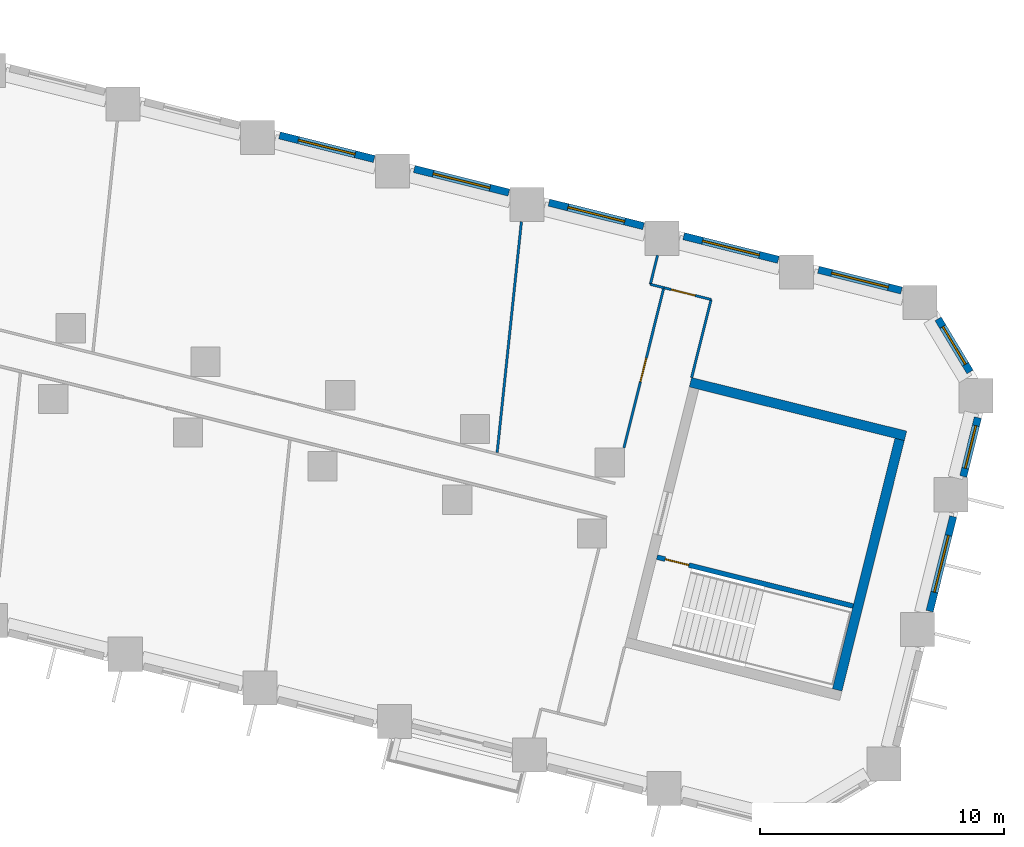
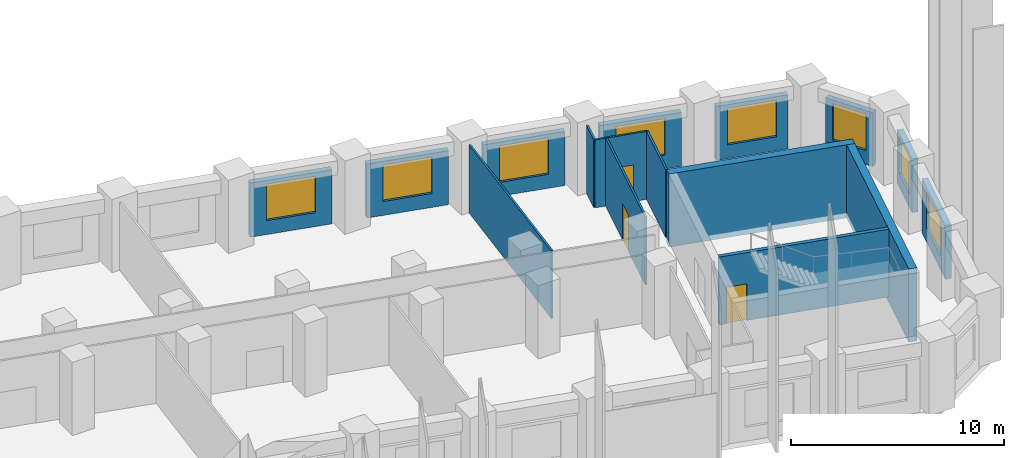
# One storey, part 7 of 11: 17 walls, 8 windows, 3 doors, 11 openings.
"""IFC4 building model written with IfcOpenShell, lengths in metres."""

import ifcopenshell
import ifcopenshell.guid

model = None  # the IFC model being written
_history = None  # IfcOwnerHistory: only IFC2X3 demands one
_inside = {}  # id of a spatial element -> (the spatial element, [elements in it])
_under = {}  # id of a project, library or spatial element -> (it, [spatial elements below it])
_declared = {}  # id of a project -> (the project, [libraries it declares])
_typed = {}  # id of a type object -> (the type object, [elements of that type])
_made_of = {}  # id of a material, layer set ... -> (it, [elements and type objects made of it])


def new_model(schema):
    """Start an empty IFC model of exactly this schema.

    Asked for "IFC4X3", IfcOpenShell would pick the latest addendum, in which some entities
    have other attributes; the version numbers below select the first issue.
    IFC2X3 requires an IfcOwnerHistory on every rooted entity: one is made here for all.
    """
    global model, _history
    if schema == "IFC4X3":
        model = ifcopenshell.file(schema_version=(4, 3, 0, 0))
    else:
        model = ifcopenshell.file(schema=schema)
    _inside.clear()
    _under.clear()
    _declared.clear()
    _typed.clear()
    _made_of.clear()
    _history = None
    if model.schema == "IFC2X3":
        org = make("IfcOrganization", Name="unknown")
        user = make(
            "IfcPersonAndOrganization",
            ThePerson=make("IfcPerson", FamilyName="unknown"),
            TheOrganization=org,
        )
        app = make(
            "IfcApplication",
            ApplicationDeveloper=org,
            Version="unknown",
            ApplicationFullName="unknown",
            ApplicationIdentifier="unknown",
        )
        _history = make(
            "IfcOwnerHistory",
            OwningUser=user,
            OwningApplication=app,
            ChangeAction="ADDED",
            CreationDate=0,
        )
    return model


def make(cls, **values):
    """One entity of the class cls with the attributes given. An attribute that is None is left unset."""
    return model.create_entity(
        cls, **{name: value for name, value in values.items() if value is not None}
    )


def rooted(cls, **values):
    """An entity with a GlobalId (a new one), such as an element, a storey or a relation."""
    return make(cls, GlobalId=ifcopenshell.guid.new(), OwnerHistory=_history, **values)


def si_unit(unit_type, name, prefix=None):
    """IfcSIUnit, for example si_unit("LENGTHUNIT", "METRE", prefix="MILLI")."""
    return make("IfcSIUnit", UnitType=unit_type, Prefix=prefix, Name=name)


def assignment(units):
    """IfcUnitAssignment: the units of a project."""
    return None if units is None else make("IfcUnitAssignment", Units=units)


def point(xyz):
    """IfcCartesianPoint."""
    return None if xyz is None else make("IfcCartesianPoint", Coordinates=xyz)


def direction(xyz):
    """IfcDirection."""
    return None if xyz is None else make("IfcDirection", DirectionRatios=xyz)


def frame(location, z_axis=None, x_axis=None):
    """IfcAxis2Placement3D, a coordinate frame: its origin and axes. An axis left out is left unset."""
    return make(
        "IfcAxis2Placement3D",
        Location=point(location),
        Axis=direction(z_axis),
        RefDirection=direction(x_axis),
    )


def frame_2d(location, x_axis=None):
    """IfcAxis2Placement2D, a coordinate frame in the plane: its origin and x axis."""
    return make(
        "IfcAxis2Placement2D", Location=point(location), RefDirection=direction(x_axis)
    )


def origin():
    """The frame at (0, 0, 0) with its axes left unset."""
    return frame((0.0, 0.0, 0.0))


def place(relative_to, where):
    """IfcLocalPlacement: puts the frame where relative to a parent placement (None: the world)."""
    return make(
        "IfcLocalPlacement", PlacementRelTo=relative_to, RelativePlacement=where
    )


def context(
    kind, dimensions, precision=None, world=None, true_north=None, identifier=None
):
    """IfcGeometricRepresentationContext, for example the 3D "Model" context."""
    return make(
        "IfcGeometricRepresentationContext",
        ContextIdentifier=identifier,
        ContextType=kind,
        CoordinateSpaceDimension=dimensions,
        Precision=precision,
        WorldCoordinateSystem=world,
        TrueNorth=true_north,
    )


def subcontext(parent, identifier, kind, view, scale=None):
    """IfcGeometricRepresentationSubContext, for example "Body" below "Model"."""
    return make(
        "IfcGeometricRepresentationSubContext",
        ContextIdentifier=identifier,
        ContextType=kind,
        ParentContext=parent,
        TargetScale=scale,
        TargetView=view,
    )


def project(units=None, contexts=None):
    """IfcProject with its units and contexts."""
    return rooted(
        "IfcProject",
        Name="project",
        RepresentationContexts=contexts,
        UnitsInContext=assignment(units),
    )


def spatial(cls, under=None, at=None, **own):
    """A site, building, storey or space (cls), placed at a placement, below another one or the project."""
    s = rooted(cls, ObjectPlacement=at, **own)
    if under is not None:
        _under.setdefault(under.id(), (under, []))[1].append(s)
    return s


def profile(cls, at=None, kind="AREA", **sizes):
    """A parametric profile (cls). Its sizes go by their IFC names, for example OverallWidth=200.0."""
    return make(cls, ProfileType=kind, Position=at, **sizes)


def rectangle(**sizes):
    """IfcRectangleProfileDef."""
    return profile("IfcRectangleProfileDef", **sizes)


def extrude(swept, where, along, depth):
    """IfcExtrudedAreaSolid: the profile swept, set in the frame where, extruded along a direction by depth."""
    return make(
        "IfcExtrudedAreaSolid",
        SweptArea=swept,
        Position=where,
        ExtrudedDirection=direction(along),
        Depth=depth,
    )


def shape(context_of_items, identifier, shape_type, items):
    """IfcShapeRepresentation: the items that make up one representation, for example the "Body"."""
    return make(
        "IfcShapeRepresentation",
        ContextOfItems=context_of_items,
        RepresentationIdentifier=identifier,
        RepresentationType=shape_type,
        Items=items,
    )


def material(Name=None, Category=None):
    """IfcMaterial."""
    return make("IfcMaterial", Name=Name, Category=Category)


def layer(
    of_material, thickness, ventilated=None, Name=None, Category=None, Priority=None
):
    """IfcMaterialLayer: one layer of a wall or slab, of a material (None: an air gap)."""
    return make(
        "IfcMaterialLayer",
        Material=of_material,
        LayerThickness=thickness,
        IsVentilated=ventilated,
        Name=Name,
        Category=Category,
        Priority=Priority,
    )


def layer_set(layers, Name=None):
    """IfcMaterialLayerSet."""
    return make("IfcMaterialLayerSet", MaterialLayers=layers, LayerSetName=Name)


def made_of(thing, what):
    """Note that an element or type object is made of a material, layer set ...; save() writes the relation."""
    if what is not None:
        _made_of.setdefault(what.id(), (what, []))[1].append(thing)
    return thing


def type_object(cls, material=None, **own):
    """A type object (cls), such as IfcWallType, which elements share."""
    return made_of(rooted(cls, **own), material)


def element(
    cls,
    number,
    at=None,
    inside=None,
    cuts=None,
    type_object=None,
    material=None,
    context=None,
    identifier="Body",
    shape_type=None,
    held_by="IfcProductDefinitionShape",
    body=None,
    shapes=None,
    **own,
):
    """One element of the class cls, such as IfcWall. Its Tag is "e" and its number.

    at: its placement. inside: the storey or other place that contains it. cuts: it is an
    opening in that element (IfcRelVoidsElement). A single representation is given by context,
    identifier, shape_type and body (its items); several are given by shapes. held_by: the class
    of the entity that holds the representations. save() writes the other relations.
    """
    e = rooted(cls, Tag="e%d" % number, ObjectPlacement=at, **own)
    if body is not None:
        shapes = [shape(context, identifier, shape_type, body)]
    if shapes is not None:
        e.Representation = make(held_by, Representations=shapes)
    if inside is not None:
        _inside.setdefault(inside.id(), (inside, []))[1].append(e)
    if cuts is not None:
        rooted(
            "IfcRelVoidsElement", RelatingBuildingElement=cuts, RelatedOpeningElement=e
        )
    if type_object is not None:
        _typed.setdefault(type_object.id(), (type_object, []))[1].append(e)
    return made_of(e, material)


def fill(opening, filler):
    """IfcRelFillsElement: the door or window that sits in an opening."""
    return rooted(
        "IfcRelFillsElement",
        RelatingOpeningElement=opening,
        RelatedBuildingElement=filler,
    )


def aggregate(whole, parts):
    """IfcRelAggregates: a whole, such as a stair, and the parts it consists of."""
    return rooted("IfcRelAggregates", RelatingObject=whole, RelatedObjects=parts)


def save(model, path):
    """Write the relations noted so far, then the file.

    IfcRelAggregates (storeys below a building ...), IfcRelContainedInSpatialStructure (elements
    in a storey), IfcRelDefinesByType, IfcRelAssociatesMaterial and IfcRelDeclares: one each for
    every whole, place, type object, material and project.
    """
    for whole, parts in _under.values():
        aggregate(whole, parts)
    for where, things in _inside.values():
        rooted(
            "IfcRelContainedInSpatialStructure",
            RelatedElements=things,
            RelatingStructure=where,
        )
    for kind, things in _typed.values():
        rooted("IfcRelDefinesByType", RelatedObjects=things, RelatingType=kind)
    for what, things in _made_of.values():
        rooted("IfcRelAssociatesMaterial", RelatedObjects=things, RelatingMaterial=what)
    for by, libraries in _declared.values():
        rooted("IfcRelDeclares", RelatingContext=by, RelatedDefinitions=libraries)
    model.write(path)


model = new_model("IFC4")

# Units and contexts
model_context = context("Model", 3, precision=1e-05, world=origin(), true_north=direction((0.0, 1.0)))
body_context = subcontext(model_context, "Body", "Model", "MODEL_VIEW")
ifc_project = project(units=[si_unit("LENGTHUNIT", "METRE"), si_unit("AREAUNIT", "SQUARE_METRE"), si_unit("VOLUMEUNIT", "CUBIC_METRE"), si_unit("PLANEANGLEUNIT", "RADIAN"), si_unit("MASSUNIT", "GRAM", prefix="KILO")], contexts=[model_context])

# Site, building, storey
site_placement = place(None, origin())
site = spatial("IfcSite", under=ifc_project, at=site_placement, CompositionType="ELEMENT")
building_placement = place(site_placement, origin())
building = spatial("IfcBuilding", under=site, at=building_placement, Name="Meshkara Civic Tower", CompositionType="ELEMENT")
storey_placement = place(building_placement, frame((0.0, 0.0, 49.800048828125)))
storey = spatial("IfcBuildingStorey", under=building, at=storey_placement, Name="L10", CompositionType="ELEMENT", Elevation=49.800048828125)

# Wall, opening, door
ifc_material_1 = material(Name="Corridor wall 100")
ifc_layer_1 = layer(ifc_material_1, 0.10009765625)
ifc_layer_set_1 = layer_set([ifc_layer_1], Name="Corridor wall 100")
wall_type_1 = type_object("IfcWallType", Name="Corridor wall 100", PredefinedType="PARTITIONING", material=ifc_layer_set_1)
wall_1_placement = place(storey_placement, frame((77.677978515625, 1.656982421875, 0.0), z_axis=(0.0, 0.0, 1.0), x_axis=(-0.241865842949, -0.970309700052, 0.0)))
wall_1 = element("IfcWall", 1, at=wall_1_placement, inside=storey, type_object=wall_type_1, Name="L10-W028", PredefinedType="PARTITIONING", context=body_context, shape_type="SweptSolid", body=[
    extrude(rectangle(XDim=6.776123046875, YDim=0.10009765625, at=frame_2d((3.38818359375, 0.0))), origin(), (0.0, 0.0, 1.0), 3.89990234375),
])
opening_1_placement = place(wall_1_placement, frame((2.97998046875, 0.0, 0.0)))
opening_1 = element("IfcOpeningElement", 2, at=opening_1_placement, cuts=wall_1, Name="Opening L10-D007", PredefinedType="OPENING", context=body_context, shape_type="SweptSolid", body=[
    extrude(rectangle(XDim=1.0, YDim=2.10009765625, at=frame_2d((0.5, 1.050048828125))), frame((0.0, 0.06005859375, 0.0), z_axis=(0.0, -1.0, 0.0), x_axis=(1.0, 0.0, 0.0)), (0.0, 0.0, 1.0), 0.1201171875),
])
ifc_material_2 = material(Name="Door 1000 x 2100")
door_type_1 = type_object("IfcDoorType", Name="Door 1000 x 2100", OperationType="SINGLE_SWING_LEFT", PredefinedType="DOOR", material=ifc_material_2)
door_1_placement = place(opening_1_placement, origin())
door_1 = element("IfcDoor", 3, at=door_1_placement, inside=storey, type_object=door_type_1, Name="L10-D007", OperationType="SINGLE_SWING_LEFT", OverallHeight=2.10009765625, OverallWidth=1.0, PredefinedType="DOOR", context=body_context, shape_type="SweptSolid", body=[
    extrude(rectangle(XDim=1.0, YDim=2.10009765625, at=frame_2d((0.5, 1.050048828125))), frame((0.0, 0.02490234375, 0.0), z_axis=(0.0, -1.0, 0.0), x_axis=(1.0, 0.0, 0.0)), (0.0, 0.0, 1.0), 0.050048828125),
])
fill(opening_1, door_1)

# Wall
wall_2_placement = place(storey_placement, frame((78.821044921875, -2.029052734375, 0.0), z_axis=(0.0, 0.0, 1.0), x_axis=(0.241769629392, 0.970333677816, 0.0)))
element("IfcWall", 4, at=wall_2_placement, inside=storey, type_object=wall_type_1, Name="L10-W029", PredefinedType="PARTITIONING", context=body_context, shape_type="SweptSolid", body=[
    extrude(rectangle(XDim=3.300048828125, YDim=0.10009765625, at=frame_2d((1.64990234375, 0.0))), origin(), (0.0, 0.0, 1.0), 3.89990234375),
])

# Wall, opening, door
wall_3_placement = place(storey_placement, frame((79.618896484375, 1.173095703125, 0.0), z_axis=(0.0, 0.0, 1.0), x_axis=(-0.970300241929, 0.241903783585, 0.0)))
wall_3 = element("IfcWall", 5, at=wall_3_placement, inside=storey, type_object=wall_type_1, Name="L10-W030", PredefinedType="PARTITIONING", context=body_context, shape_type="SweptSolid", body=[
    extrude(rectangle(XDim=2.000244140625, YDim=0.10009765625, at=frame_2d((1.0, 0.0))), origin(), (0.0, 0.0, 1.0), 3.89990234375),
])
opening_2_placement = place(wall_3_placement, frame((0.679931640625, 0.0, 0.0)))
opening_2 = element("IfcOpeningElement", 6, at=opening_2_placement, cuts=wall_3, Name="Opening L10-D011", PredefinedType="OPENING", context=body_context, shape_type="SweptSolid", body=[
    extrude(rectangle(XDim=1.0, YDim=2.10009765625, at=frame_2d((0.5, 1.050048828125))), frame((0.0, 0.06005859375, 0.0), z_axis=(0.0, -1.0, 0.0), x_axis=(1.0, 0.0, 0.0)), (0.0, 0.0, 1.0), 0.1201171875),
])
door_2_placement = place(opening_2_placement, origin())
door_2 = element("IfcDoor", 7, at=door_2_placement, inside=storey, type_object=door_type_1, Name="L10-D011", OperationType="SINGLE_SWING_LEFT", OverallHeight=2.10009765625, OverallWidth=1.0, PredefinedType="DOOR", context=body_context, shape_type="SweptSolid", body=[
    extrude(rectangle(XDim=1.0, YDim=2.10009765625, at=frame_2d((0.5, 1.050048828125))), frame((0.0, 0.02490234375, 0.0), z_axis=(0.0, -1.0, 0.0), x_axis=(1.0, 0.0, 0.0)), (0.0, 0.0, 1.0), 0.050048828125),
])
fill(opening_2, door_2)

# Wall, opening, window
ifc_material_3 = material(Name="Insulated infill panel with bronze anodised aluminium cladding", Category="aluminium")
ifc_layer_2 = layer(ifc_material_3, 0.300048828125)
ifc_layer_set_2 = layer_set([ifc_layer_2], Name="EXTERNAL INFILL WALL 300")
wall_type_2 = type_object("IfcWallType", Name="EXTERNAL INFILL WALL 300", PredefinedType="SOLIDWALL", material=ifc_layer_set_2)
wall_4_placement = place(storey_placement, frame((87.43505859375, 1.54296875, 0.0), z_axis=(0.0, 0.0, 1.0), x_axis=(-0.970289298425, 0.241947674843, 0.0)))
wall_4 = element("IfcWall", 8, at=wall_4_placement, inside=storey, type_object=wall_type_2, Name="External wall", PredefinedType="SOLIDWALL", context=body_context, shape_type="SweptSolid", body=[
    extrude(rectangle(XDim=3.517578125, YDim=0.300048828125, at=frame_2d((1.7587890625, 0.0))), origin(), (0.0, 0.0, 1.0), 3.099853515625),
])
opening_3_placement = place(wall_4_placement, frame((0.55908203125, 0.0, 0.800048828125)))
opening_3 = element("IfcOpeningElement", 9, at=opening_3_placement, cuts=wall_4, Name="Opening W7", PredefinedType="OPENING", context=body_context, shape_type="SweptSolid", body=[
    extrude(rectangle(XDim=2.39990234375, YDim=2.10009765625, at=frame_2d((1.199951171875, 1.050048828125))), frame((0.0, 0.159912109375, 0.0), z_axis=(0.0, -1.0, 0.0), x_axis=(1.0, 0.0, 0.0)), (0.0, 0.0, 1.0), 0.320068359375),
])
ifc_material_4 = material(Name="Tinted double glazing", Category="glass")
window_type_1 = type_object("IfcWindowType", Name="WINDOW 2400x2100", PartitioningType="DOUBLE_PANEL_VERTICAL", PredefinedType="WINDOW", material=ifc_material_4)
window_1_placement = place(opening_3_placement, origin())
window_1 = element("IfcWindow", 10, at=window_1_placement, inside=storey, type_object=window_type_1, Name="Window", OverallHeight=2.10009765625, OverallWidth=2.39990234375, PartitioningType="DOUBLE_PANEL_VERTICAL", PredefinedType="WINDOW", context=body_context, shape_type="SweptSolid", body=[
    extrude(rectangle(XDim=2.39990234375, YDim=2.10009765625, at=frame_2d((1.199951171875, 1.050048828125))), frame((0.0, 0.030029296875, 0.0), z_axis=(0.0, -1.0, 0.0), x_axis=(1.0, 0.0, 0.0)), (0.0, 0.0, 1.0), 0.06005859375),
])
fill(opening_3, window_1)

wall_5_placement = place(storey_placement, frame((82.375, 2.804931640625, 0.0), z_axis=(0.0, 0.0, 1.0), x_axis=(-0.970318045095, 0.24183236211, 0.0)))
wall_5 = element("IfcWall", 11, at=wall_5_placement, inside=storey, type_object=wall_type_2, Name="External wall", PredefinedType="SOLIDWALL", context=body_context, shape_type="SweptSolid", body=[
    extrude(rectangle(XDim=4.0029296875, YDim=0.300048828125, at=frame_2d((2.00146484375, 0.0))), origin(), (0.0, 0.0, 1.0), 3.099853515625),
])
opening_4_placement = place(wall_5_placement, frame((0.802001953125, 0.0, 0.800048828125)))
opening_4 = element("IfcOpeningElement", 12, at=opening_4_placement, cuts=wall_5, Name="Opening W7", PredefinedType="OPENING", context=body_context, shape_type="SweptSolid", body=[
    extrude(rectangle(XDim=2.39990234375, YDim=2.10009765625, at=frame_2d((1.199951171875, 1.050048828125))), frame((0.0, 0.159912109375, 0.0), z_axis=(0.0, -1.0, 0.0), x_axis=(1.0, 0.0, 0.0)), (0.0, 0.0, 1.0), 0.320068359375),
])
window_2_placement = place(opening_4_placement, origin())
window_2 = element("IfcWindow", 13, at=window_2_placement, inside=storey, type_object=window_type_1, Name="Window", OverallHeight=2.10009765625, OverallWidth=2.39990234375, PartitioningType="DOUBLE_PANEL_VERTICAL", PredefinedType="WINDOW", context=body_context, shape_type="SweptSolid", body=[
    extrude(rectangle(XDim=2.39990234375, YDim=2.10009765625, at=frame_2d((1.199951171875, 1.050048828125))), frame((0.0, 0.030029296875, 0.0), z_axis=(0.0, -1.0, 0.0), x_axis=(1.0, 0.0, 0.0)), (0.0, 0.0, 1.0), 0.06005859375),
])
fill(opening_4, window_2)

wall_6_placement = place(storey_placement, frame((76.843994140625, 4.18408203125, 0.0), z_axis=(0.0, 0.0, 1.0), x_axis=(-0.970303772127, 0.241889623168, 0.0)))
wall_6 = element("IfcWall", 14, at=wall_6_placement, inside=storey, type_object=wall_type_2, Name="External wall", PredefinedType="SOLIDWALL", context=body_context, shape_type="SweptSolid", body=[
    extrude(rectangle(XDim=4.001953125, YDim=0.300048828125, at=frame_2d((2.0009765625, 0.0))), origin(), (0.0, 0.0, 1.0), 3.099853515625),
])
opening_5_placement = place(wall_6_placement, frame((0.801025390625, 0.0, 0.800048828125)))
opening_5 = element("IfcOpeningElement", 15, at=opening_5_placement, cuts=wall_6, Name="Opening W7", PredefinedType="OPENING", context=body_context, shape_type="SweptSolid", body=[
    extrude(rectangle(XDim=2.39990234375, YDim=2.10009765625, at=frame_2d((1.199951171875, 1.050048828125))), frame((0.0, 0.159912109375, 0.0), z_axis=(0.0, -1.0, 0.0), x_axis=(1.0, 0.0, 0.0)), (0.0, 0.0, 1.0), 0.320068359375),
])
window_3_placement = place(opening_5_placement, origin())
window_3 = element("IfcWindow", 16, at=window_3_placement, inside=storey, type_object=window_type_1, Name="Window", OverallHeight=2.10009765625, OverallWidth=2.39990234375, PartitioningType="DOUBLE_PANEL_VERTICAL", PredefinedType="WINDOW", context=body_context, shape_type="SweptSolid", body=[
    extrude(rectangle(XDim=2.39990234375, YDim=2.10009765625, at=frame_2d((1.199951171875, 1.050048828125))), frame((0.0, 0.030029296875, 0.0), z_axis=(0.0, -1.0, 0.0), x_axis=(1.0, 0.0, 0.0)), (0.0, 0.0, 1.0), 0.06005859375),
])
fill(opening_5, window_3)

wall_7_placement = place(storey_placement, frame((71.31396484375, 5.56298828125, 0.0), z_axis=(0.0, 0.0, 1.0), x_axis=(-0.970318045095, 0.24183236211, 0.0)))
wall_7 = element("IfcWall", 17, at=wall_7_placement, inside=storey, type_object=wall_type_2, Name="External wall", PredefinedType="SOLIDWALL", context=body_context, shape_type="SweptSolid", body=[
    extrude(rectangle(XDim=4.0029296875, YDim=0.300048828125, at=frame_2d((2.00146484375, 0.0))), origin(), (0.0, 0.0, 1.0), 3.099853515625),
])
opening_6_placement = place(wall_7_placement, frame((0.802001953125, 0.0, 0.800048828125)))
opening_6 = element("IfcOpeningElement", 18, at=opening_6_placement, cuts=wall_7, Name="Opening W7", PredefinedType="OPENING", context=body_context, shape_type="SweptSolid", body=[
    extrude(rectangle(XDim=2.39990234375, YDim=2.10009765625, at=frame_2d((1.199951171875, 1.050048828125))), frame((0.0, 0.159912109375, 0.0), z_axis=(0.0, -1.0, 0.0), x_axis=(1.0, 0.0, 0.0)), (0.0, 0.0, 1.0), 0.320068359375),
])
window_4_placement = place(opening_6_placement, origin())
window_4 = element("IfcWindow", 19, at=window_4_placement, inside=storey, type_object=window_type_1, Name="Window", OverallHeight=2.10009765625, OverallWidth=2.39990234375, PartitioningType="DOUBLE_PANEL_VERTICAL", PredefinedType="WINDOW", context=body_context, shape_type="SweptSolid", body=[
    extrude(rectangle(XDim=2.39990234375, YDim=2.10009765625, at=frame_2d((1.199951171875, 1.050048828125))), frame((0.0, 0.030029296875, 0.0), z_axis=(0.0, -1.0, 0.0), x_axis=(1.0, 0.0, 0.0)), (0.0, 0.0, 1.0), 0.06005859375),
])
fill(opening_6, window_4)

wall_8_placement = place(storey_placement, frame((65.782958984375, 6.94189453125, 0.0), z_axis=(0.0, 0.0, 1.0), x_axis=(-0.970318045095, 0.24183236211, 0.0)))
wall_8 = element("IfcWall", 20, at=wall_8_placement, inside=storey, type_object=wall_type_2, Name="External wall", PredefinedType="SOLIDWALL", context=body_context, shape_type="SweptSolid", body=[
    extrude(rectangle(XDim=4.0029296875, YDim=0.300048828125, at=frame_2d((2.00146484375, 0.0))), origin(), (0.0, 0.0, 1.0), 3.099853515625),
])
opening_7_placement = place(wall_8_placement, frame((0.802001953125, 0.0, 0.800048828125)))
opening_7 = element("IfcOpeningElement", 21, at=opening_7_placement, cuts=wall_8, Name="Opening W7", PredefinedType="OPENING", context=body_context, shape_type="SweptSolid", body=[
    extrude(rectangle(XDim=2.39990234375, YDim=2.10009765625, at=frame_2d((1.199951171875, 1.050048828125))), frame((0.0, 0.159912109375, 0.0), z_axis=(0.0, -1.0, 0.0), x_axis=(1.0, 0.0, 0.0)), (0.0, 0.0, 1.0), 0.320068359375),
])
window_5_placement = place(opening_7_placement, origin())
window_5 = element("IfcWindow", 22, at=window_5_placement, inside=storey, type_object=window_type_1, Name="Window", OverallHeight=2.10009765625, OverallWidth=2.39990234375, PartitioningType="DOUBLE_PANEL_VERTICAL", PredefinedType="WINDOW", context=body_context, shape_type="SweptSolid", body=[
    extrude(rectangle(XDim=2.39990234375, YDim=2.10009765625, at=frame_2d((1.199951171875, 1.050048828125))), frame((0.0, 0.030029296875, 0.0), z_axis=(0.0, -1.0, 0.0), x_axis=(1.0, 0.0, 0.0)), (0.0, 0.0, 1.0), 0.06005859375),
])
fill(opening_7, window_5)

wall_9_placement = place(storey_placement, frame((88.590087890625, -11.62109375, 0.0), z_axis=(0.0, 0.0, 1.0), x_axis=(0.241889623168, 0.970303772127, 0.0)))
wall_9 = element("IfcWall", 23, at=wall_9_placement, inside=storey, type_object=wall_type_2, Name="External wall", PredefinedType="SOLIDWALL", context=body_context, shape_type="SweptSolid", body=[
    extrude(rectangle(XDim=4.001953125, YDim=0.300048828125, at=frame_2d((2.0009765625, 0.0))), origin(), (0.0, 0.0, 1.0), 3.099853515625),
])
opening_8_placement = place(wall_9_placement, frame((0.801025390625, 0.0, 0.800048828125)))
opening_8 = element("IfcOpeningElement", 24, at=opening_8_placement, cuts=wall_9, Name="Opening W7", PredefinedType="OPENING", context=body_context, shape_type="SweptSolid", body=[
    extrude(rectangle(XDim=2.39990234375, YDim=2.10009765625, at=frame_2d((1.199951171875, 1.050048828125))), frame((0.0, 0.159912109375, 0.0), z_axis=(0.0, -1.0, 0.0), x_axis=(1.0, 0.0, 0.0)), (0.0, 0.0, 1.0), 0.320068359375),
])
window_6_placement = place(opening_8_placement, origin())
window_6 = element("IfcWindow", 25, at=window_6_placement, inside=storey, type_object=window_type_1, Name="Window", OverallHeight=2.10009765625, OverallWidth=2.39990234375, PartitioningType="DOUBLE_PANEL_VERTICAL", PredefinedType="WINDOW", context=body_context, shape_type="SweptSolid", body=[
    extrude(rectangle(XDim=2.39990234375, YDim=2.10009765625, at=frame_2d((1.199951171875, 1.050048828125))), frame((0.0, 0.030029296875, 0.0), z_axis=(0.0, -1.0, 0.0), x_axis=(1.0, 0.0, 0.0)), (0.0, 0.0, 1.0), 0.06005859375),
])
fill(opening_8, window_6)

wall_10_placement = place(storey_placement, frame((89.968994140625, -6.091064453125, 0.0), z_axis=(0.0, 0.0, 1.0), x_axis=(0.241797277733, 0.9703267885, 0.0)))
wall_10 = element("IfcWall", 26, at=wall_10_placement, inside=storey, type_object=wall_type_2, Name="External wall", PredefinedType="SOLIDWALL", context=body_context, shape_type="SweptSolid", body=[
    extrude(rectangle(XDim=2.489990234375, YDim=0.300048828125, at=frame_2d((1.2451171875, 0.0))), origin(), (0.0, 0.0, 1.0), 3.099853515625),
])
opening_9_placement = place(wall_10_placement, frame((0.344970703125, 0.0, 0.800048828125)))
opening_9 = element("IfcOpeningElement", 27, at=opening_9_placement, cuts=wall_10, Name="Opening W9", PredefinedType="OPENING", context=body_context, shape_type="SweptSolid", body=[
    extrude(rectangle(XDim=1.800048828125, YDim=2.10009765625, at=frame_2d((0.89990234375, 1.050048828125))), frame((0.0, 0.159912109375, 0.0), z_axis=(0.0, -1.0, 0.0), x_axis=(1.0, 0.0, 0.0)), (0.0, 0.0, 1.0), 0.320068359375),
])
ifc_material_5 = material(Name="Tinted double glazing", Category="glass")
window_type_2 = type_object("IfcWindowType", Name="WINDOW 1800x2100", PartitioningType="DOUBLE_PANEL_VERTICAL", PredefinedType="WINDOW", material=ifc_material_5)
window_7_placement = place(opening_9_placement, origin())
window_7 = element("IfcWindow", 28, at=window_7_placement, inside=storey, type_object=window_type_2, Name="Window", OverallHeight=2.10009765625, OverallWidth=1.800048828125, PartitioningType="DOUBLE_PANEL_VERTICAL", PredefinedType="WINDOW", context=body_context, shape_type="SweptSolid", body=[
    extrude(rectangle(XDim=1.800048828125, YDim=2.10009765625, at=frame_2d((0.89990234375, 1.050048828125))), frame((0.0, 0.030029296875, 0.0), z_axis=(0.0, -1.0, 0.0), x_axis=(1.0, 0.0, 0.0)), (0.0, 0.0, 1.0), 0.06005859375),
])
fill(opening_9, window_7)

wall_11_placement = place(storey_placement, frame((90.248046875, -1.801025390625, 0.0), z_axis=(0.0, 0.0, 1.0), x_axis=(-0.515441886055, 0.856924536992, 0.0)))
wall_11 = element("IfcWall", 29, at=wall_11_placement, inside=storey, type_object=wall_type_2, Name="External wall", PredefinedType="SOLIDWALL", context=body_context, shape_type="SweptSolid", body=[
    extrude(rectangle(XDim=2.54150390625, YDim=0.300048828125, at=frame_2d((1.270751953125, 0.0))), origin(), (0.0, 0.0, 1.0), 3.099853515625),
])
opening_10_placement = place(wall_11_placement, frame((0.37109375, 0.0, 0.800048828125)))
opening_10 = element("IfcOpeningElement", 30, at=opening_10_placement, cuts=wall_11, Name="Opening W9", PredefinedType="OPENING", context=body_context, shape_type="SweptSolid", body=[
    extrude(rectangle(XDim=1.800048828125, YDim=2.10009765625, at=frame_2d((0.89990234375, 1.050048828125))), frame((0.0, 0.159912109375, 0.0), z_axis=(0.0, -1.0, 0.0), x_axis=(1.0, 0.0, 0.0)), (0.0, 0.0, 1.0), 0.320068359375),
])
window_8_placement = place(opening_10_placement, origin())
window_8 = element("IfcWindow", 31, at=window_8_placement, inside=storey, type_object=window_type_2, Name="Window", OverallHeight=2.10009765625, OverallWidth=1.800048828125, PartitioningType="DOUBLE_PANEL_VERTICAL", PredefinedType="WINDOW", context=body_context, shape_type="SweptSolid", body=[
    extrude(rectangle(XDim=1.800048828125, YDim=2.10009765625, at=frame_2d((0.89990234375, 1.050048828125))), frame((0.0, 0.030029296875, 0.0), z_axis=(0.0, -1.0, 0.0), x_axis=(1.0, 0.0, 0.0)), (0.0, 0.0, 1.0), 0.06005859375),
])
fill(opening_10, window_8)

# Walls
ifc_material_6 = material(Name="Concrete C80", Category="concrete")
ifc_layer_3 = layer(ifc_material_6, 0.39990234375)
ifc_layer_set_3 = layer_set([ifc_layer_3], Name="End core ring wall 400 C80")
wall_type_3 = type_object("IfcWallType", Name="End core ring wall 400 C80", PredefinedType="SHEAR", material=ifc_layer_set_3)
wall_12_placement = place(storey_placement, frame((78.77197265625, -2.222900390625, -0.300048828125), z_axis=(0.0, 0.0, 1.0), x_axis=(0.970306400786, -0.241879078453, 0.0)))
element("IfcWall", 32, at=wall_12_placement, inside=storey, type_object=wall_type_3, Name="L10-C031", PredefinedType="SHEAR", context=body_context, shape_type="SweptSolid", body=[
    extrude(rectangle(XDim=9.100341796875, YDim=0.39990234375, at=frame_2d((4.55029296875, 0.0))), origin(), (0.0, 0.0, 1.0), 4.199951171875),
])
wall_13_placement = place(storey_placement, frame((84.794921875, -14.85498046875, -0.300048828125), z_axis=(0.0, 0.0, 1.0), x_axis=(0.241890652548, 0.970303515509, 0.0)))
element("IfcWall", 33, at=wall_13_placement, inside=storey, type_object=wall_type_3, Name="L10-C033", PredefinedType="SHEAR", context=body_context, shape_type="SweptSolid", body=[
    extrude(rectangle(XDim=10.599609375, YDim=0.39990234375, at=frame_2d((5.2998046875, 0.0))), origin(), (0.0, 0.0, 1.0), 4.199951171875),
])
ifc_material_7 = material(Name="Partition 100")
ifc_layer_4 = layer(ifc_material_7, 0.10009765625)
ifc_layer_set_4 = layer_set([ifc_layer_4], Name="Partition 100")
wall_type_4 = type_object("IfcWallType", Name="Partition 100", PredefinedType="PARTITIONING", material=ifc_layer_set_4)
wall_14_placement = place(storey_placement, frame((70.8349609375, -5.10888671875, 0.0), z_axis=(0.0, 0.0, 1.0), x_axis=(0.104452670861, 0.994529858551, 0.0)))
element("IfcWall", 34, at=wall_14_placement, inside=storey, type_object=wall_type_4, Name="L10-W052", PredefinedType="PARTITIONING", context=body_context, shape_type="SweptSolid", body=[
    extrude(rectangle(XDim=9.52685546875, YDim=0.10009765625, at=frame_2d((4.763427734375, 0.0))), origin(), (0.0, 0.0, 1.0), 3.89990234375),
])
wall_15_placement = place(storey_placement, frame((77.1240234375, 1.794921875, 0.0), z_axis=(0.0, 0.0, 1.0), x_axis=(0.241647114831, 0.970364195493, 0.0)))
element("IfcWall", 35, at=wall_15_placement, inside=storey, type_object=wall_type_4, Name="L10-W055", PredefinedType="PARTITIONING", context=body_context, shape_type="SweptSolid", body=[
    extrude(rectangle(XDim=1.228515625, YDim=0.10009765625, at=frame_2d((0.6142578125, 0.0))), origin(), (0.0, 0.0, 1.0), 3.89990234375),
])
wall_16_placement = place(storey_placement, frame((77.681884765625, 1.656005859375, 0.0), z_axis=(0.0, 0.0, 1.0), x_axis=(-0.97036690769, 0.241636223403, 0.0)))
element("IfcWall", 36, at=wall_16_placement, inside=storey, type_object=wall_type_4, Name="L10-W056", PredefinedType="PARTITIONING", context=body_context, shape_type="SweptSolid", body=[
    extrude(rectangle(XDim=0.574951171875, YDim=0.10009765625, at=frame_2d((0.28759765625, 0.0))), origin(), (0.0, 0.0, 1.0), 3.89990234375),
])

# Wall, opening, door
ifc_material_8 = material(Name="Concrete C40/50", Category="concrete")
ifc_layer_5 = layer(ifc_material_8, 0.199951171875)
ifc_layer_set_5 = layer_set([ifc_layer_5], Name="Stair enclosure wall 200 C40/50")
wall_type_5 = type_object("IfcWallType", Name="Stair enclosure wall 200 C40/50", PredefinedType="SOLIDWALL", material=ifc_layer_set_5)
wall_17_placement = place(storey_placement, frame((77.39404296875, -9.403076171875, 0.0), z_axis=(0.0, 0.0, 1.0), x_axis=(0.970303192681, -0.241891947516, 0.0)))
wall_17 = element("IfcWall", 37, at=wall_17_placement, inside=storey, type_object=wall_type_5, Name="L10-C034", PredefinedType="SOLIDWALL", context=body_context, shape_type="SweptSolid", body=[
    extrude(rectangle(XDim=8.300537109375, YDim=0.199951171875, at=frame_2d((4.150390625, 0.0))), origin(), (0.0, 0.0, 1.0), 3.89990234375),
])
opening_11_placement = place(wall_17_placement, frame((0.35009765625, 0.0, 0.0)))
opening_11 = element("IfcOpeningElement", 38, at=opening_11_placement, cuts=wall_17, Name="Opening L10-K201", PredefinedType="OPENING", context=body_context, shape_type="SweptSolid", body=[
    extrude(rectangle(XDim=1.0, YDim=2.10009765625, at=frame_2d((0.5, 1.050048828125))), frame((0.0, 0.10986328125, 0.0), z_axis=(0.0, -1.0, 0.0), x_axis=(1.0, 0.0, 0.0)), (0.0, 0.0, 1.0), 0.219970703125),
])
ifc_material_9 = material(Name="Fire-rated door leaf in steel frame", Category="steel")
door_type_2 = type_object("IfcDoorType", Name="Stair door 1000 EI 120", OperationType="SINGLE_SWING_LEFT", PredefinedType="DOOR", material=ifc_material_9)
door_3_placement = place(opening_11_placement, origin())
door_3 = element("IfcDoor", 39, at=door_3_placement, inside=storey, type_object=door_type_2, Name="L10-K201", OperationType="SINGLE_SWING_LEFT", OverallHeight=2.10009765625, OverallWidth=1.0, PredefinedType="DOOR", context=body_context, shape_type="SweptSolid", body=[
    extrude(rectangle(XDim=1.0, YDim=2.10009765625, at=frame_2d((0.5, 1.050048828125))), frame((0.0, 0.02490234375, 0.0), z_axis=(0.0, -1.0, 0.0), x_axis=(1.0, 0.0, 0.0)), (0.0, 0.0, 1.0), 0.050048828125),
])
fill(opening_11, door_3)

save(model, "model.ifc")
